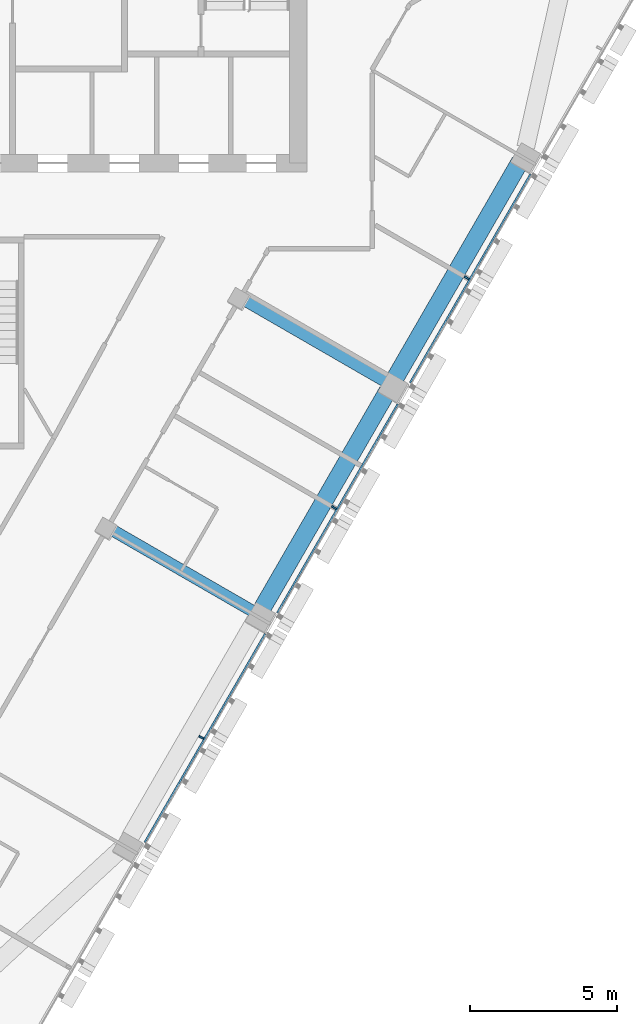
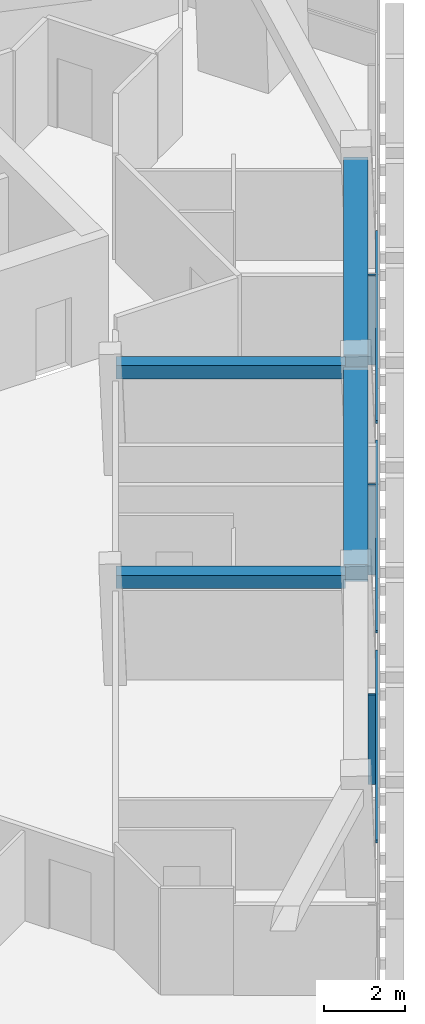
# One storey, part 4 of 14: 6 members, 4 beams, 1 element without a shape of its own.
"""IFC4 building model written with IfcOpenShell, lengths in metres."""

from ifc_helpers import new_model, si_unit, direction, frame, origin, origin_2d, place, context, subcontext, project, spatial, rectangle, extrude, material, layer, layer_set, material_profile, profile_set, type_object, element, aggregate, save


model = new_model("IFC4")

# Units and contexts
model_context = context("Model", 3, precision=1e-05, world=origin(), true_north=direction((0.0, 1.0)))
body_context = subcontext(model_context, "Body", "Model", "MODEL_VIEW")
ifc_project = project(units=[si_unit("LENGTHUNIT", "METRE"), si_unit("AREAUNIT", "SQUARE_METRE"), si_unit("VOLUMEUNIT", "CUBIC_METRE"), si_unit("PLANEANGLEUNIT", "RADIAN"), si_unit("MASSUNIT", "GRAM", prefix="KILO")], contexts=[model_context])

# Site, building, storey
site_placement = place(None, origin())
site = spatial("IfcSite", under=ifc_project, at=site_placement, CompositionType="ELEMENT")
building_placement = place(site_placement, origin())
building = spatial("IfcBuilding", under=site, at=building_placement, Name="Altiplano Prism Tower", CompositionType="ELEMENT")
storey_placement = place(building_placement, frame((0.0, 0.0, 230.199951171875)))
storey = spatial("IfcBuildingStorey", under=building, at=storey_placement, Name="L59", CompositionType="ELEMENT", Elevation=230.199951171875)

# Curtain wall, members
ifc_material_1 = material(Name="Aluminium and glass", Category="aluminium")
ifc_layer = layer(ifc_material_1, 0.280029296875)
ifc_layer_set = layer_set([ifc_layer], Name="Aluminium and glass")
curtain_wall_type = type_object("IfcCurtainWallType", Name="CW1 typical co-living unitised curtain wall", PredefinedType="NOTDEFINED", material=ifc_layer_set)
curtain_wall_placement = place(storey_placement, origin())
curtain_wall = element("IfcCurtainWall", 1, at=curtain_wall_placement, inside=storey, type_object=curtain_wall_type, Name="CW1 curtain wall south-east face L59", PredefinedType="NOTDEFINED")
ifc_material_2 = material(Name="Aluminium", Category="aluminium")
ifc_material_profile_1 = material_profile(ifc_material_2, rectangle(XDim=0.179931640625, YDim=0.06494140625, at=origin_2d()), Name="CW1 mullion 65 x 180")
ifc_profile_set_1 = profile_set([ifc_material_profile_1], Name="Aluminium")
member_type_1 = type_object("IfcMemberType", Name="CW1 mullion 65 x 180", PredefinedType="MULLION", material=ifc_profile_set_1)
member_1_placement = place(storey_placement, frame((94.007080078125, 73.620849609375, 0.0), z_axis=(0.0, 0.0, 1.0), x_axis=(-0.866025400599, 0.500000005517, 0.0)))
member_1 = element("IfcMember", 2, at=member_1_placement, type_object=member_type_1, Name="CW1 mullion", PredefinedType="MULLION", context=body_context, shape_type="SweptSolid", body=[
    extrude(rectangle(XDim=0.179931640625, YDim=0.06494140625, at=origin_2d()), origin(), (0.0, 0.0, 1.0), 2.699951171875),
])
member_2_placement = place(storey_placement, frame((98.507080078125, 81.4150390625, 0.0), z_axis=(0.0, 0.0, 1.0), x_axis=(-0.866025400599, 0.500000005517, 0.0)))
member_2 = element("IfcMember", 3, at=member_2_placement, type_object=member_type_1, Name="CW1 mullion", PredefinedType="MULLION", context=body_context, shape_type="SweptSolid", body=[
    extrude(rectangle(XDim=0.179931640625, YDim=0.06494140625, at=origin_2d()), origin(), (0.0, 0.0, 1.0), 2.699951171875),
])
member_3_placement = place(storey_placement, frame((103.007080078125, 89.20947265625, 0.0), z_axis=(0.0, 0.0, 1.0), x_axis=(-0.866025400599, 0.500000005517, 0.0)))
member_3 = element("IfcMember", 4, at=member_3_placement, type_object=member_type_1, Name="CW1 mullion", PredefinedType="MULLION", context=body_context, shape_type="SweptSolid", body=[
    extrude(rectangle(XDim=0.179931640625, YDim=0.06494140625, at=origin_2d()), origin(), (0.0, 0.0, 1.0), 2.699951171875),
])
ifc_material_profile_2 = material_profile(ifc_material_2, rectangle(XDim=0.06005859375, YDim=0.080078125, at=origin_2d()), Name="CW1 transom 80 x 60")
ifc_profile_set_2 = profile_set([ifc_material_profile_2], Name="Aluminium")
member_type_2 = type_object("IfcMemberType", Name="CW1 transom 80 x 60", PredefinedType="USERDEFINED", material=ifc_profile_set_2)
member_4_placement = place(storey_placement, frame((92.088134765625, 70.057373046875, 1.10009765625), z_axis=(0.499995783154, 0.866027838368, 0.0), x_axis=(-0.866027838368, 0.499995783154, 0.0)))
member_4 = element("IfcMember", 5, at=member_4_placement, type_object=member_type_2, Name="CW1 transom", ObjectType="TRANSOM", PredefinedType="USERDEFINED", context=body_context, shape_type="SweptSolid", body=[
    extrude(rectangle(XDim=0.06005859375, YDim=0.080078125, at=origin_2d()), origin(), (0.0, 0.0, 1.0), 8.169921875),
])
member_5_placement = place(storey_placement, frame((96.588134765625, 77.851806640625, 1.10009765625), z_axis=(0.500008722908, 0.866020367552, 0.0), x_axis=(-0.866020367552, 0.500008722908, 0.0)))
member_5 = element("IfcMember", 6, at=member_5_placement, type_object=member_type_2, Name="CW1 transom", ObjectType="TRANSOM", PredefinedType="USERDEFINED", context=body_context, shape_type="SweptSolid", body=[
    extrude(rectangle(XDim=0.06005859375, YDim=0.080078125, at=origin_2d()), origin(), (0.0, 0.0, 1.0), 8.169677734375),
])
member_6_placement = place(storey_placement, frame((101.088134765625, 85.64599609375, 1.10009765625), z_axis=(0.500008722908, 0.866020367552, 0.0), x_axis=(-0.866020367552, 0.500008722908, 0.0)))
member_6 = element("IfcMember", 7, at=member_6_placement, type_object=member_type_2, Name="CW1 transom", ObjectType="TRANSOM", PredefinedType="USERDEFINED", context=body_context, shape_type="SweptSolid", body=[
    extrude(rectangle(XDim=0.06005859375, YDim=0.080078125, at=origin_2d()), origin(), (0.0, 0.0, 1.0), 8.169677734375),
])
aggregate(curtain_wall, [member_1, member_4, member_2, member_5, member_3, member_6])

# Beams
ifc_material_3 = material(Name="Concrete C60/75", Category="concrete")
ifc_material_profile_3 = material_profile(ifc_material_3, rectangle(XDim=0.60009765625, YDim=0.5, at=origin_2d()), Name="Edge beam 600x500")
ifc_profile_set_3 = profile_set([ifc_material_profile_3], Name="Concrete C60/75")
beam_type_1 = type_object("IfcBeamType", Name="Edge beam 600x500", PredefinedType="SPANDREL", material=ifc_profile_set_3)
for number, where, z_axis, x_axis, name in (
    (8, (96.079345703125, 78.00732421875, 2.949951171875), (0.500011199594, 0.866018937599, 0.0), (-0.866018937599, 0.500011199594, 0.0), "Edge beam P22-P23 L60"),
    (9, (100.579345703125, 85.8017578125, 2.949951171875), (0.500011199594, 0.866018937599, 0.0), (-0.866018937599, 0.500011199594, 0.0), "Edge beam P23-P24 L60"),
):
    element("IfcBeam", number, at=place(storey_placement, frame(where, z_axis=z_axis, x_axis=x_axis)), inside=storey, type_object=beam_type_1, Name=name, PredefinedType="SPANDREL", context=body_context, shape_type="SweptSolid", body=[
        extrude(rectangle(XDim=0.60009765625, YDim=0.5, at=origin_2d()), origin(), (0.0, 0.0, 1.0), 8.489990234375),
    ])
ifc_material_profile_4 = material_profile(ifc_material_3, rectangle(XDim=0.39990234375, YDim=0.39990234375, at=origin_2d()), Name="Tie beam 400x400")
ifc_profile_set_4 = profile_set([ifc_material_profile_4], Name="Concrete C60/75")
beam_type_2 = type_object("IfcBeamType", Name="Tie beam 400x400", PredefinedType="BEAM", material=ifc_profile_set_4)
for number, where, z_axis, x_axis, name in (
    (10, (90.8466796875, 80.734130859375, 3.0), (0.866015459562, -0.500017223503, 0.0), (0.500017223503, 0.866015459562, 0.0), "Tie beam I22 L60"),
    (11, (95.3466796875, 88.5283203125, 3.0), (0.866015459562, -0.500017223503, 0.0), (0.500017223503, 0.866015459562, 0.0), "Tie beam I23 L60"),
):
    element("IfcBeam", number, at=place(storey_placement, frame(where, z_axis=z_axis, x_axis=x_axis)), inside=storey, type_object=beam_type_2, Name=name, PredefinedType="BEAM", context=body_context, shape_type="SweptSolid", body=[
        extrude(rectangle(XDim=0.39990234375, YDim=0.39990234375, at=origin_2d()), origin(), (0.0, 0.0, 1.0), 5.639892578125),
    ])

save(model, "model.ifc")
